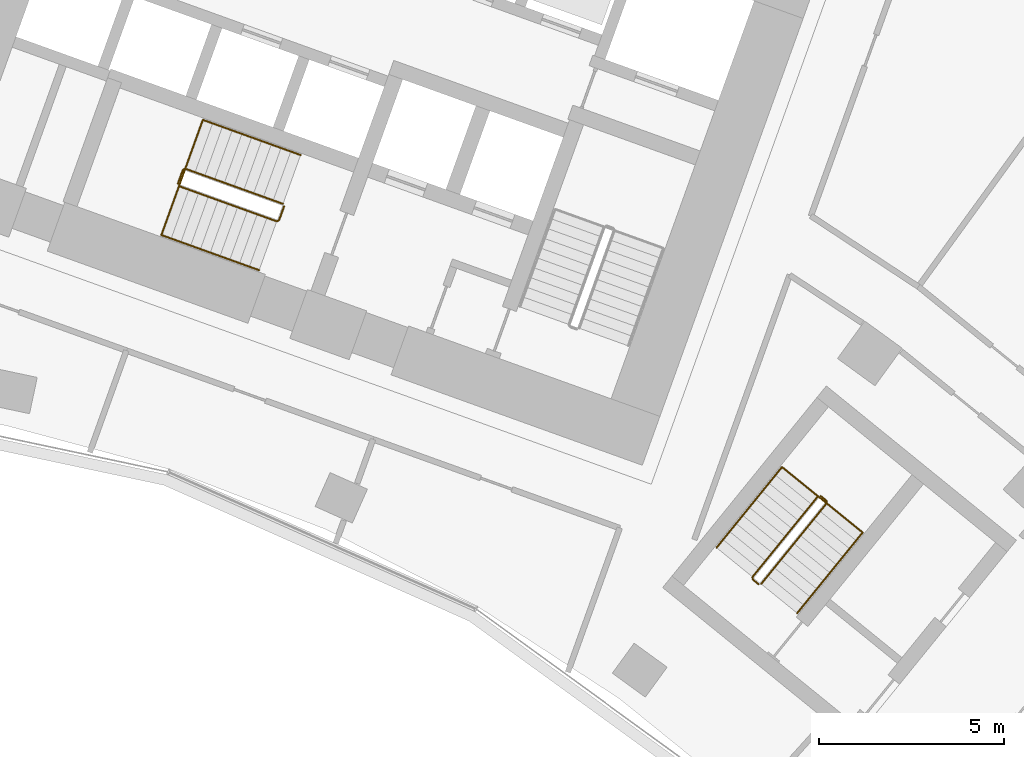
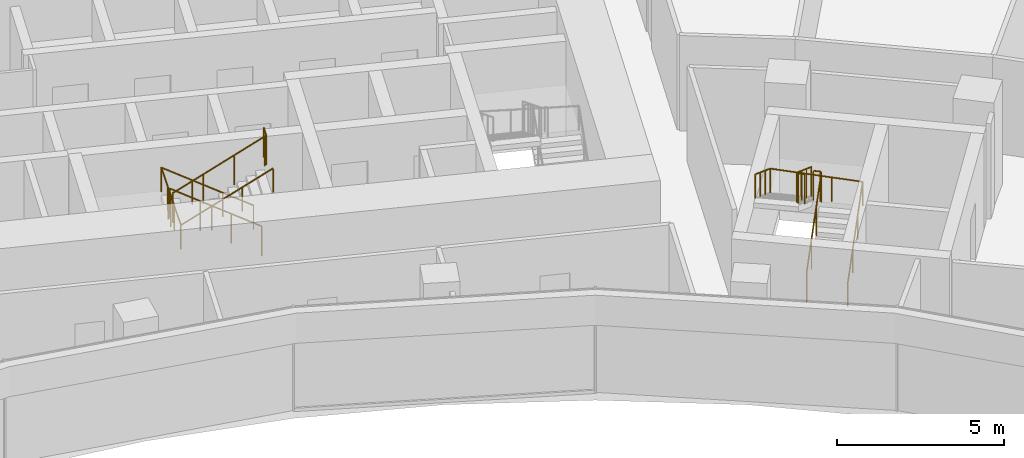
# One storey, part 22 of 23: 6 railings.
"""IFC4 building model written with IfcOpenShell, lengths in metres."""

from ifc_helpers import new_model, si_unit, direction, frame, origin, origin_2d, place, context, subcontext, project, spatial, circle, extrude, material, type_object, element, save


model = new_model("IFC4")

# Units and contexts
model_context = context("Model", 3, precision=1e-05, world=origin(), true_north=direction((0.0, 1.0)))
body_context = subcontext(model_context, "Body", "Model", "MODEL_VIEW")
ifc_project = project(units=[si_unit("LENGTHUNIT", "METRE"), si_unit("AREAUNIT", "SQUARE_METRE"), si_unit("VOLUMEUNIT", "CUBIC_METRE"), si_unit("PLANEANGLEUNIT", "RADIAN"), si_unit("MASSUNIT", "GRAM", prefix="KILO")], contexts=[model_context])

# Site, building, storey
site_placement = place(None, origin())
site = spatial("IfcSite", under=ifc_project, at=site_placement, CompositionType="ELEMENT")
building_placement = place(site_placement, origin())
building = spatial("IfcBuilding", under=site, at=building_placement, Name="Stone Belt Terrace Tower", CompositionType="ELEMENT")
storey_placement = place(building_placement, frame((0.0, 0.0, 144.0)))
storey = spatial("IfcBuildingStorey", under=building, at=storey_placement, Name="L34", CompositionType="ELEMENT", Elevation=144.0)

# Railings
ifc_material = material(Name="Structural steel C345", Category="steel")
railing_type_1 = type_object("IfcRailingType", Name="Stair guard 1100", PredefinedType="GUARDRAIL", material=ifc_material)
railing_1_placement = place(storey_placement, frame((16.507568359375, 48.527099609375, 0.172607421875)))
element("IfcRailing", 1, at=railing_1_placement, inside=storey, type_object=railing_type_1, Name="L34 ST2B stair guard 1", PredefinedType="GUARDRAIL", context=body_context, shape_type="SweptSolid", body=[
    extrude(circle(Radius=0.02392578125, at=origin_2d()), frame((0.0, 0.0, 1.076171875), z_axis=(-0.800808895155, 0.288160591223, 0.52504150989), x_axis=(-0.338583606334, -0.940936311087, 0.0)), (0.0, 0.0, 1.0), 3.289794921875),
    extrude(circle(Radius=0.02392578125, at=origin_2d()), frame((-2.634521484375, 0.947998046875, 2.80322265625), z_axis=(-0.905209821074, -0.424964916, 0.0), x_axis=(0.424964916, -0.905209821074, 0.0)), (0.0, 0.0, 1.0), 0.070556640625),
    extrude(circle(Radius=0.02392578125, at=origin_2d()), frame((-2.698486328125, 0.91796875, 2.80322265625), z_axis=(-0.338654645739, -0.940910745459, 0.0), x_axis=(0.940910745459, -0.338654645739, 0.0)), (0.0, 0.0, 1.0), 0.400146484375),
    extrude(circle(Radius=0.02099609375, at=origin_2d()), origin(), (0.0, 0.0, 1.0), 1.052001953125),
    extrude(circle(Radius=0.02099609375, at=origin_2d()), frame((-0.878173828125, 0.31591796875, 0.57568359375)), (0.0, 0.0, 1.0), 1.052001953125),
    extrude(circle(Radius=0.02099609375, at=origin_2d()), frame((-1.75634765625, 0.632080078125, 1.151611328125)), (0.0, 0.0, 1.0), 1.052001953125),
    extrude(circle(Radius=0.02099609375, at=origin_2d()), frame((-2.634521484375, 0.947998046875, 1.727294921875)), (0.0, 0.0, 1.0), 1.052001953125),
    extrude(circle(Radius=0.02099609375, at=origin_2d()), frame((-2.698486328125, 0.91796875, 1.727294921875)), (0.0, 0.0, 1.0), 1.052001953125),
    extrude(circle(Radius=0.02099609375, at=origin_2d()), frame((-2.833984375, 0.54150390625, 1.727294921875)), (0.0, 0.0, 1.0), 1.052001953125),
])
railing_2_placement = place(storey_placement, frame((13.703857421875, 49.004638671875, 2.07275390625)))
element("IfcRailing", 2, at=railing_2_placement, inside=storey, type_object=railing_type_1, Name="L34 ST2B stair guard 2", PredefinedType="GUARDRAIL", context=body_context, shape_type="SweptSolid", body=[
    extrude(circle(Radius=0.02392578125, at=origin_2d()), frame((0.0, 0.0, 1.076171875), z_axis=(0.800808895155, -0.288160591223, 0.52504150989), x_axis=(0.338583606334, 0.940936311087, 0.0)), (0.0, 0.0, 1.0), 3.289794921875),
    extrude(circle(Radius=0.02392578125, at=origin_2d()), frame((2.634521484375, -0.947998046875, 2.80322265625), z_axis=(0.905209821074, 0.424964916, 0.0), x_axis=(-0.424964916, 0.905209821074, 0.0)), (0.0, 0.0, 1.0), 0.070556640625),
    extrude(circle(Radius=0.02392578125, at=origin_2d()), frame((2.698486328125, -0.91796875, 2.80322265625), z_axis=(0.338654645739, 0.940910745459, 0.0), x_axis=(-0.940910745459, 0.338654645739, 0.0)), (0.0, 0.0, 1.0), 0.400146484375),
    extrude(circle(Radius=0.02099609375, at=origin_2d()), origin(), (0.0, 0.0, 1.0), 1.052001953125),
    extrude(circle(Radius=0.02099609375, at=origin_2d()), frame((0.878173828125, -0.31591796875, 0.57568359375)), (0.0, 0.0, 1.0), 1.052001953125),
    extrude(circle(Radius=0.02099609375, at=origin_2d()), frame((1.75634765625, -0.632080078125, 1.151611328125)), (0.0, 0.0, 1.0), 1.052001953125),
    extrude(circle(Radius=0.02099609375, at=origin_2d()), frame((2.634521484375, -0.947998046875, 1.727294921875)), (0.0, 0.0, 1.0), 1.052001953125),
    extrude(circle(Radius=0.02099609375, at=origin_2d()), frame((2.698486328125, -0.91796875, 1.727294921875)), (0.0, 0.0, 1.0), 1.052001953125),
    extrude(circle(Radius=0.02099609375, at=origin_2d()), frame((2.833984375, -0.54150390625, 1.727294921875)), (0.0, 0.0, 1.0), 1.052001953125),
])
railing_3_placement = place(storey_placement, frame((29.39794921875, 38.281982421875, 0.172607421875)))
element("IfcRailing", 3, at=railing_3_placement, inside=storey, type_object=railing_type_1, Name="L34 ST3B stair guard 1", PredefinedType="GUARDRAIL", context=body_context, shape_type="SweptSolid", body=[
    extrude(circle(Radius=0.02392578125, at=origin_2d()), frame((0.0, 0.0, 1.076171875), z_axis=(0.536393061503, 0.660769759217, 0.525038864158), x_axis=(-0.776391310223, 0.630251166924, 0.0)), (0.0, 0.0, 1.0), 3.289794921875),
    extrude(circle(Radius=0.02392578125, at=origin_2d()), frame((1.7646484375, 2.173828125, 2.80322265625), z_axis=(-0.103251414163, 0.994655289773, 0.0), x_axis=(-0.994655289773, -0.103251414163, 0.0)), (0.0, 0.0, 1.0), 0.071044921875),
    extrude(circle(Radius=0.02392578125, at=origin_2d()), frame((1.75732421875, 2.244384765625, 2.80322265625), z_axis=(-0.776561986372, 0.630040856868, 0.0), x_axis=(-0.630040856868, -0.776561986372, 0.0)), (0.0, 0.0, 1.0), 0.199951171875),
    extrude(circle(Radius=0.02099609375, at=origin_2d()), origin(), (0.0, 0.0, 1.0), 1.052001953125),
    extrude(circle(Radius=0.02099609375, at=origin_2d()), frame((0.588134765625, 0.724609375, 0.57568359375)), (0.0, 0.0, 1.0), 1.052001953125),
    extrude(circle(Radius=0.02099609375, at=origin_2d()), frame((1.176513671875, 1.44921875, 1.151611328125)), (0.0, 0.0, 1.0), 1.052001953125),
    extrude(circle(Radius=0.02099609375, at=origin_2d()), frame((1.7646484375, 2.173828125, 1.727294921875)), (0.0, 0.0, 1.0), 1.052001953125),
    extrude(circle(Radius=0.02099609375, at=origin_2d()), frame((1.75732421875, 2.244384765625, 1.727294921875)), (0.0, 0.0, 1.0), 1.052001953125),
    extrude(circle(Radius=0.02099609375, at=origin_2d()), frame((1.60205078125, 2.370361328125, 1.727294921875)), (0.0, 0.0, 1.0), 1.052001953125),
])
railing_4_placement = place(storey_placement, frame((30.9296875, 40.64501953125, 2.07275390625)))
element("IfcRailing", 4, at=railing_4_placement, inside=storey, type_object=railing_type_1, Name="L34 ST3B stair guard 2", PredefinedType="GUARDRAIL", context=body_context, shape_type="SweptSolid", body=[
    extrude(circle(Radius=0.02392578125, at=origin_2d()), frame((0.0, 0.0, 1.076171875), z_axis=(-0.536366759382, -0.660811565066, 0.525013118792), x_axis=(0.776425942316, -0.630208502084, 0.0)), (0.0, 0.0, 1.0), 3.2900390625),
    extrude(circle(Radius=0.02392578125, at=origin_2d()), frame((-1.7646484375, -2.174072265625, 2.80322265625), z_axis=(0.103606084259, -0.994618408891, 0.0), x_axis=(0.994618408891, 0.103606084259, 0.0)), (0.0, 0.0, 1.0), 0.07080078125),
    extrude(circle(Radius=0.02392578125, at=origin_2d()), frame((-1.75732421875, -2.244384765625, 2.80322265625), z_axis=(0.776561986372, -0.630040856868, 0.0), x_axis=(0.630040856868, 0.776561986372, 0.0)), (0.0, 0.0, 1.0), 0.199951171875),
    extrude(circle(Radius=0.02099609375, at=origin_2d()), origin(), (0.0, 0.0, 1.0), 1.052001953125),
    extrude(circle(Radius=0.02099609375, at=origin_2d()), frame((-0.588134765625, -0.724609375, 0.57568359375)), (0.0, 0.0, 1.0), 1.052001953125),
    extrude(circle(Radius=0.02099609375, at=origin_2d()), frame((-1.176513671875, -1.449462890625, 1.151611328125)), (0.0, 0.0, 1.0), 1.052001953125),
    extrude(circle(Radius=0.02099609375, at=origin_2d()), frame((-1.7646484375, -2.174072265625, 1.727294921875)), (0.0, 0.0, 1.0), 1.052001953125),
    extrude(circle(Radius=0.02099609375, at=origin_2d()), frame((-1.75732421875, -2.244384765625, 1.727294921875)), (0.0, 0.0, 1.0), 1.052001953125),
    extrude(circle(Radius=0.02099609375, at=origin_2d()), frame((-1.60205078125, -2.370361328125, 1.727294921875)), (0.0, 0.0, 1.0), 1.052001953125),
])
railing_type_2 = type_object("IfcRailingType", Name="Stair handrail 900", PredefinedType="HANDRAIL", material=ifc_material)
railing_5_placement = place(storey_placement, frame((16.981689453125, 49.84423828125, 0.172607421875)))
element("IfcRailing", 5, at=railing_5_placement, inside=storey, type_object=railing_type_2, Name="L34 ST2B stair handrail 1", PredefinedType="HANDRAIL", context=body_context, shape_type="SweptSolid", body=[
    extrude(circle(Radius=0.02392578125, at=origin_2d()), frame((0.0, 0.0, 0.8759765625), z_axis=(-0.800791768495, 0.288228637646, 0.525030280985), x_axis=(-0.338660803216, -0.940908529223, 0.0)), (0.0, 0.0, 1.0), 3.289794921875),
    extrude(circle(Radius=0.02392578125, at=origin_2d()), frame((-2.634521484375, 0.9482421875, 2.60302734375), z_axis=(-0.338158948057, -0.939634149308, 0.052308615955), x_axis=(0.940922302781, -0.338622533404, 0.0)), (0.0, 0.0, 1.0), 3.304443359375),
    extrude(circle(Radius=0.02392578125, at=origin_2d()), frame((-3.751953125, -2.15673828125, 2.77587890625), z_axis=(0.800791768495, -0.288228637646, 0.525030280985), x_axis=(0.338660803216, 0.940908529223, 0.0)), (0.0, 0.0, 1.0), 3.289794921875),
    extrude(circle(Radius=0.02099609375, at=origin_2d()), origin(), (0.0, 0.0, 1.0), 0.851806640625),
    extrude(circle(Radius=0.02099609375, at=origin_2d()), frame((-0.878173828125, 0.316162109375, 0.57568359375)), (0.0, 0.0, 1.0), 0.851806640625),
    extrude(circle(Radius=0.02099609375, at=origin_2d()), frame((-1.75634765625, 0.632080078125, 1.151611328125)), (0.0, 0.0, 1.0), 0.851806640625),
    extrude(circle(Radius=0.02099609375, at=origin_2d()), frame((-2.634521484375, 0.9482421875, 1.727294921875)), (0.0, 0.0, 1.0), 0.851806640625),
    extrude(circle(Radius=0.02099609375, at=origin_2d()), frame((-3.007080078125, -0.086669921875, 1.784912109375)), (0.0, 0.0, 1.0), 0.851806640625),
    extrude(circle(Radius=0.02099609375, at=origin_2d()), frame((-3.37939453125, -1.121826171875, 1.842529296875)), (0.0, 0.0, 1.0), 0.851806640625),
    extrude(circle(Radius=0.02099609375, at=origin_2d()), frame((-3.751953125, -2.15673828125, 1.900146484375)), (0.0, 0.0, 1.0), 0.851806640625),
    extrude(circle(Radius=0.02099609375, at=origin_2d()), frame((-2.873779296875, -2.472900390625, 2.475830078125)), (0.0, 0.0, 1.0), 0.851806640625),
    extrude(circle(Radius=0.02099609375, at=origin_2d()), frame((-1.99560546875, -2.788818359375, 3.0517578125)), (0.0, 0.0, 1.0), 0.851806640625),
    extrude(circle(Radius=0.02099609375, at=origin_2d()), frame((-1.117431640625, -3.10498046875, 3.62744140625)), (0.0, 0.0, 1.0), 0.851806640625),
])
railing_6_placement = place(storey_placement, frame((30.36865234375, 37.494140625, 0.172607421875)))
element("IfcRailing", 6, at=railing_6_placement, inside=storey, type_object=railing_type_2, Name="L34 ST3B stair handrail 1", PredefinedType="HANDRAIL", context=body_context, shape_type="SweptSolid", body=[
    extrude(circle(Radius=0.02392578125, at=origin_2d()), frame((0.0, 0.0, 0.8759765625), z_axis=(0.536366759382, 0.660811565066, 0.525013118792), x_axis=(-0.776425942316, 0.630208502084, 0.0)), (0.0, 0.0, 1.0), 3.2900390625),
    extrude(circle(Radius=0.02392578125, at=origin_2d()), frame((1.7646484375, 2.174072265625, 2.60302734375), z_axis=(-0.774950814199, 0.629011171817, 0.061613158501), x_axis=(-0.630208502084, -0.776425942316, 0.0)), (0.0, 0.0, 1.0), 2.805419921875),
    extrude(circle(Radius=0.02392578125, at=origin_2d()), frame((-0.409423828125, 3.938720703125, 2.77587890625), z_axis=(-0.536366759382, -0.660811565066, 0.525013118792), x_axis=(0.776425942316, -0.630208502084, 0.0)), (0.0, 0.0, 1.0), 3.2900390625),
    extrude(circle(Radius=0.02099609375, at=origin_2d()), origin(), (0.0, 0.0, 1.0), 0.851806640625),
    extrude(circle(Radius=0.02099609375, at=origin_2d()), frame((0.588134765625, 0.724609375, 0.57568359375)), (0.0, 0.0, 1.0), 0.851806640625),
    extrude(circle(Radius=0.02099609375, at=origin_2d()), frame((1.176513671875, 1.449462890625, 1.151611328125)), (0.0, 0.0, 1.0), 0.851806640625),
    extrude(circle(Radius=0.02099609375, at=origin_2d()), frame((1.7646484375, 2.174072265625, 1.727294921875)), (0.0, 0.0, 1.0), 0.851806640625),
    extrude(circle(Radius=0.02099609375, at=origin_2d()), frame((1.0400390625, 2.76220703125, 1.784912109375)), (0.0, 0.0, 1.0), 0.851806640625),
    extrude(circle(Radius=0.02099609375, at=origin_2d()), frame((0.315185546875, 3.3505859375, 1.842529296875)), (0.0, 0.0, 1.0), 0.851806640625),
    extrude(circle(Radius=0.02099609375, at=origin_2d()), frame((-0.409423828125, 3.938720703125, 1.900146484375)), (0.0, 0.0, 1.0), 0.851806640625),
    extrude(circle(Radius=0.02099609375, at=origin_2d()), frame((-0.99755859375, 3.214111328125, 2.475830078125)), (0.0, 0.0, 1.0), 0.851806640625),
    extrude(circle(Radius=0.02099609375, at=origin_2d()), frame((-1.5859375, 2.4892578125, 3.0517578125)), (0.0, 0.0, 1.0), 0.851806640625),
    extrude(circle(Radius=0.02099609375, at=origin_2d()), frame((-2.174072265625, 1.7646484375, 3.62744140625)), (0.0, 0.0, 1.0), 0.851806640625),
])

save(model, "model.ifc")
